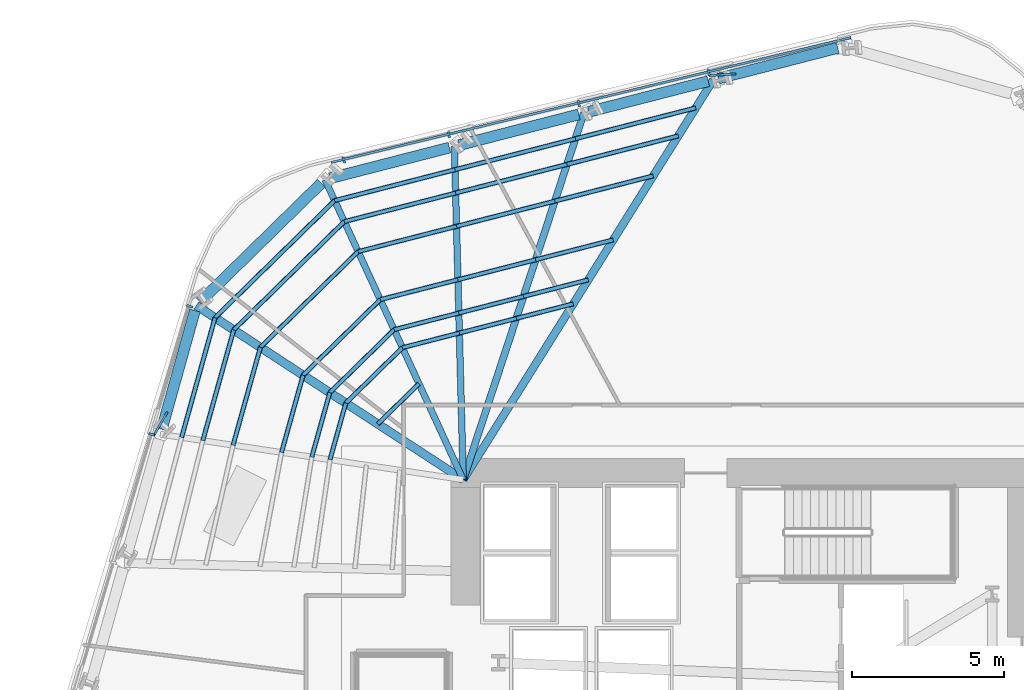
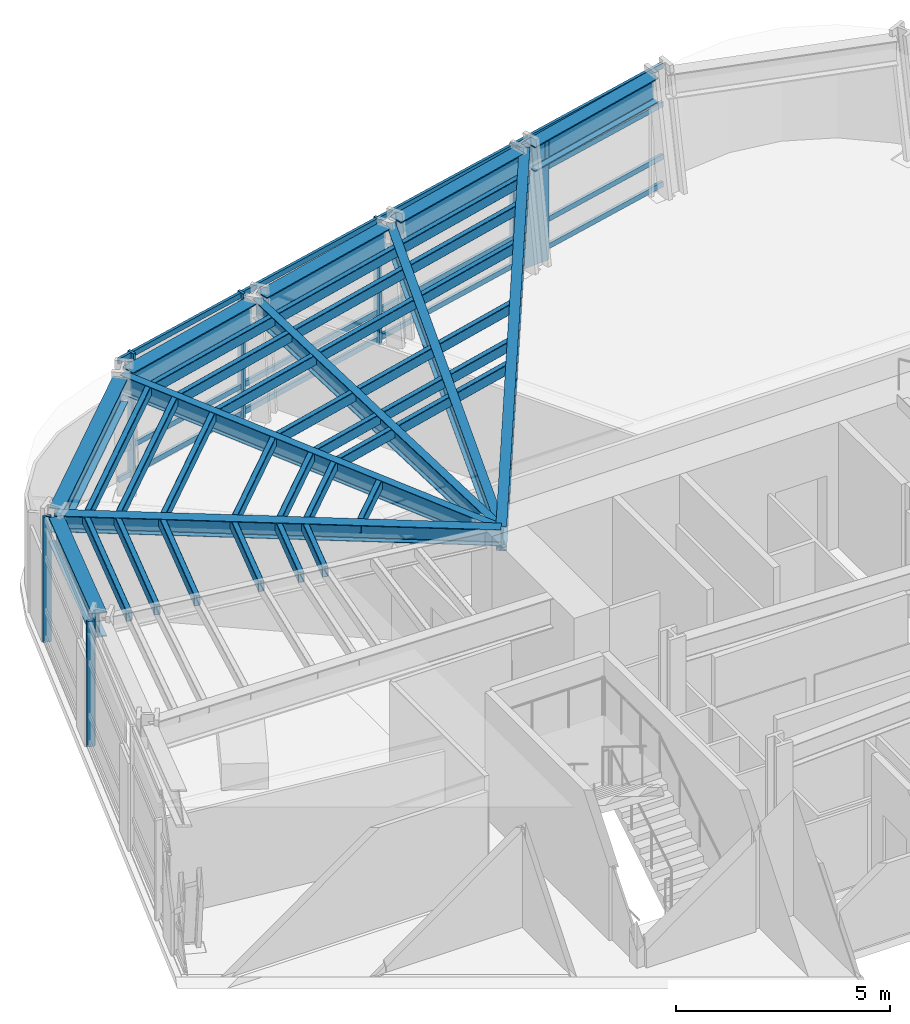
# One storey, part 6 of 17: 43 members, 11 beams, 2 elements without a shape of their own.
"""IFC4 building model written with IfcOpenShell, lengths in metres."""

from ifc_helpers import new_model, si_unit, direction, frame, origin, origin_2d, place, context, subcontext, project, spatial, rectangle, hollow_rectangle, i_section, extrude, material, layer, layer_set, material_profile, profile_set, type_object, element, aggregate, save


model = new_model("IFC4")

# Units and contexts
model_context = context("Model", 3, precision=1e-05, world=origin(), true_north=direction((0.0, 1.0)))
body_context = subcontext(model_context, "Body", "Model", "MODEL_VIEW")
ifc_project = project(units=[si_unit("LENGTHUNIT", "METRE"), si_unit("AREAUNIT", "SQUARE_METRE"), si_unit("VOLUMEUNIT", "CUBIC_METRE"), si_unit("PLANEANGLEUNIT", "RADIAN"), si_unit("MASSUNIT", "GRAM", prefix="KILO")], contexts=[model_context])

# Site, building, storey
site_placement = place(None, origin())
site = spatial("IfcSite", under=ifc_project, at=site_placement, CompositionType="ELEMENT")
building_placement = place(site_placement, origin())
building = spatial("IfcBuilding", under=site, at=building_placement, Name="Valkerne Bourse Tower", CompositionType="ELEMENT")
storey_placement = place(building_placement, frame((0.0, 0.0, 82.0)))
storey = spatial("IfcBuildingStorey", under=building, at=storey_placement, Name="L20", CompositionType="ELEMENT", Elevation=82.0)

# Beams
ifc_material_1 = material(Name="Steel ASTM A992", Category="steel")
ifc_material_profile_1 = material_profile(ifc_material_1, i_section(OverallWidth=0.279296875, OverallDepth=0.46240234375, WebThickness=0.0107421875, FlangeThickness=0.017333984375, FilletRadius=0.017822265625, at=origin_2d()), Name="W18X76")
ifc_profile_set_1 = profile_set([ifc_material_profile_1], Name="Steel ASTM A992")
beam_type_1 = type_object("IfcBeamType", Name="BM-W18X76", PredefinedType="BEAM", material=ifc_profile_set_1)
beam_1_placement = place(storey_placement, frame((28.846435546875, 41.114013671875, 3.348876953125), z_axis=(0.837382862208, -0.54661681467, 0.0), x_axis=(0.54661681467, 0.837382862208, 0.0)))
element("IfcBeam", 1, at=beam_1_placement, inside=storey, type_object=beam_type_1, Name="L20 Radial Composite Floor Beam 10", PredefinedType="BEAM", context=body_context, shape_type="SweptSolid", body=[
    extrude(i_section(OverallWidth=0.279296875, OverallDepth=0.46240234375, WebThickness=0.0107421875, FlangeThickness=0.017333984375, FilletRadius=0.017822265625, at=origin_2d()), origin(), (0.0, 0.0, 1.0), 10.45361328125),
])
ifc_material_profile_2 = material_profile(ifc_material_1, i_section(OverallWidth=0.209228515625, OverallDepth=0.533447265625, WebThickness=0.01025390625, FlangeThickness=0.015625, FilletRadius=0.017822265625, at=origin_2d()), Name="W21X62")
ifc_profile_set_2 = profile_set([ifc_material_profile_2], Name="Steel ASTM A992")
beam_type_2 = type_object("IfcBeamType", Name="BM-W21X62", PredefinedType="JOIST", material=ifc_profile_set_2)
beam_2_placement = place(storey_placement, frame((33.065185546875, 45.2451171875, 3.313232421875), z_axis=(0.418371040694, -0.908276209261, 0.0), x_axis=(0.908276209261, 0.418371040694, 0.0)))
element("IfcBeam", 2, at=beam_2_placement, inside=storey, type_object=beam_type_2, Name="L20 Radial Composite Floor Beam 09", PredefinedType="JOIST", context=body_context, shape_type="SweptSolid", body=[
    extrude(i_section(OverallWidth=0.209228515625, OverallDepth=0.533447265625, WebThickness=0.01025390625, FlangeThickness=0.015625, FilletRadius=0.017822265625, at=origin_2d()), origin(), (0.0, 0.0, 1.0), 10.83935546875),
])
ifc_material_profile_3 = material_profile(ifc_material_1, i_section(OverallWidth=0.2138671875, OverallDepth=0.548583984375, WebThickness=0.0146484375, FlangeThickness=0.023681640625, FilletRadius=0.017822265625, at=origin_2d()), Name="W21X93")
ifc_profile_set_3 = profile_set([ifc_material_profile_3], Name="Steel ASTM A992")
beam_type_3 = type_object("IfcBeamType", Name="BM-W21X93", PredefinedType="BEAM", material=ifc_profile_set_3)
beam_3_placement = place(storey_placement, frame((37.310302734375, 46.335205078125, 3.3056640625), z_axis=(0.026491558728, -0.999649037071, 0.0), x_axis=(0.999649037071, 0.026491558728, 0.0)))
element("IfcBeam", 3, at=beam_3_placement, inside=storey, type_object=beam_type_3, Name="L20 Radial Composite Floor Beam 08", PredefinedType="BEAM", context=body_context, shape_type="SweptSolid", body=[
    extrude(i_section(OverallWidth=0.2138671875, OverallDepth=0.548583984375, WebThickness=0.0146484375, FlangeThickness=0.023681640625, FilletRadius=0.017822265625, at=origin_2d()), origin(), (0.0, 0.0, 1.0), 10.939208984375),
])
ifc_material_profile_4 = material_profile(ifc_material_1, i_section(OverallWidth=0.228271484375, OverallDepth=0.607177734375, WebThickness=0.01123046875, FlangeThickness=0.017333984375, FilletRadius=0.017822265625, at=origin_2d()), Name="W24X76")
ifc_profile_set_4 = profile_set([ifc_material_profile_4], Name="Steel ASTM A992")
beam_type_4 = type_object("IfcBeamType", Name="BM-W24X76", PredefinedType="JOIST", material=ifc_profile_set_4)
beam_4_placement = place(storey_placement, frame((41.5556640625, 47.42529296875, 3.2763671875), z_axis=(-0.312464597727, -0.94992940536, 0.0), x_axis=(0.94992940536, -0.312464597727, 0.0)))
element("IfcBeam", 4, at=beam_4_placement, inside=storey, type_object=beam_type_4, Name="L20 Radial Composite Floor Beam 07", PredefinedType="JOIST", context=body_context, shape_type="SweptSolid", body=[
    extrude(i_section(OverallWidth=0.228271484375, OverallDepth=0.607177734375, WebThickness=0.01123046875, FlangeThickness=0.017333984375, FilletRadius=0.017822265625, at=origin_2d()), origin(), (0.0, 0.0, 1.0), 12.6591796875),
])
ifc_material_profile_5 = material_profile(ifc_material_1, i_section(OverallWidth=0.255859375, OverallDepth=0.693359375, WebThickness=0.014404296875, FlangeThickness=0.023681640625, FilletRadius=0.02294921875, at=origin_2d()), Name="W27X114")
ifc_profile_set_5 = profile_set([ifc_material_profile_5], Name="Steel ASTM A992")
beam_type_5 = type_object("IfcBeamType", Name="BM-W27X114", PredefinedType="BEAM", material=ifc_profile_set_5)
beam_5_placement = place(storey_placement, frame((45.801025390625, 48.51513671875, 3.2333984375), z_axis=(-0.530180525736, -0.847884785882, 0.0), x_axis=(0.847884785882, -0.530180525736, 0.0)))
element("IfcBeam", 5, at=beam_5_placement, inside=storey, type_object=beam_type_5, Name="L20 Radial Composite Floor Beam 06", PredefinedType="BEAM", context=body_context, shape_type="SweptSolid", body=[
    extrude(i_section(OverallWidth=0.255859375, OverallDepth=0.693359375, WebThickness=0.014404296875, FlangeThickness=0.023681640625, FilletRadius=0.02294921875, at=origin_2d()), origin(), (0.0, 0.0, 1.0), 15.46826171875),
])
ifc_material_profile_6 = material_profile(ifc_material_1, i_section(OverallWidth=0.358154296875, OverallDepth=0.7060546875, WebThickness=0.018310546875, FlangeThickness=0.0302734375, FilletRadius=0.02294921875, at=origin_2d()), Name="W27X178")
ifc_profile_set_6 = profile_set([ifc_material_profile_6], Name="Steel ASTM A992")
beam_type_6 = type_object("IfcBeamType", Name="BM-W27X178", PredefinedType="SPANDREL", material=ifc_profile_set_6)
for number, where, z_axis, x_axis, name in (
    (6, (49.881591796875, 49.56298828125, 3.22705078125), (-0.968584837782, -0.248683356941, 0.0), (0.248683356941, -0.968584837782, 0.0), "L20 Hexagonal Spandrel Ring Beam 05"),
    (7, (45.63623046875, 48.472900390625, 3.22705078125), (-0.968584837782, -0.248683356941, 0.0), (0.248683356941, -0.968584837782, 0.0), "L20 Hexagonal Spandrel Ring Beam 06"),
):
    element("IfcBeam", number, at=place(storey_placement, frame(where, z_axis=z_axis, x_axis=x_axis)), inside=storey, type_object=beam_type_6, Name=name, PredefinedType="SPANDREL", context=body_context, shape_type="SweptSolid", body=[
        extrude(i_section(OverallWidth=0.358154296875, OverallDepth=0.7060546875, WebThickness=0.018310546875, FlangeThickness=0.0302734375, FilletRadius=0.02294921875, at=origin_2d()), origin(), (0.0, 0.0, 1.0), 4.042724609375),
    ])
for number, where, z_axis, x_axis, name in (
    (8, (41.39111328125, 47.3828125, 3.22705078125), (-0.968588572138, -0.248668811725, 0.0), (0.248668811725, -0.968588572138, 0.0), "L20 Hexagonal Spandrel Ring Beam 07"),
    (9, (37.145751953125, 46.29296875, 3.22705078125), (-0.968588572138, -0.248668811725, 0.0), (0.248668811725, -0.968588572138, 0.0), "L20 Hexagonal Spandrel Ring Beam 08"),
):
    element("IfcBeam", number, at=place(storey_placement, frame(where, z_axis=z_axis, x_axis=x_axis)), inside=storey, type_object=beam_type_6, Name=name, PredefinedType="SPANDREL", context=body_context, shape_type="SweptSolid", body=[
        extrude(i_section(OverallWidth=0.358154296875, OverallDepth=0.7060546875, WebThickness=0.018310546875, FlangeThickness=0.0302734375, FilletRadius=0.02294921875, at=origin_2d()), origin(), (0.0, 0.0, 1.0), 4.04296875),
    ])
beam_6_placement = place(storey_placement, frame((32.943603515625, 45.126220703125, 3.22705078125), z_axis=(-0.714461076238, -0.699675189313, 0.0), x_axis=(0.699675189313, -0.714461076238, 0.0)))
element("IfcBeam", 10, at=beam_6_placement, inside=storey, type_object=beam_type_6, Name="L20 Hexagonal Spandrel Ring Beam 09", PredefinedType="SPANDREL", context=body_context, shape_type="SweptSolid", body=[
    extrude(i_section(OverallWidth=0.358154296875, OverallDepth=0.7060546875, WebThickness=0.018310546875, FlangeThickness=0.0302734375, FilletRadius=0.02294921875, at=origin_2d()), origin(), (0.0, 0.0, 1.0), 5.564453125),
])
beam_7_placement = place(storey_placement, frame((28.80078125, 40.9501953125, 3.22705078125), z_axis=(-0.268957912166, -0.963151930634, 0.0), x_axis=(0.963151930634, -0.268957912166, 0.0)))
element("IfcBeam", 11, at=beam_7_placement, inside=storey, type_object=beam_type_6, Name="L20 Hexagonal Spandrel Ring Beam 10", PredefinedType="SPANDREL", context=body_context, shape_type="SweptSolid", body=[
    extrude(i_section(OverallWidth=0.358154296875, OverallDepth=0.7060546875, WebThickness=0.018310546875, FlangeThickness=0.0302734375, FilletRadius=0.02294921875, at=origin_2d()), origin(), (0.0, 0.0, 1.0), 4.04296875),
])

# Curtain wall, members
ifc_material_2 = material(Name="Aluminium AA 6063-T6", Category="aluminium")
ifc_layer = layer(ifc_material_2, 0.22998046875)
ifc_layer_set = layer_set([ifc_layer], Name="Aluminium AA 6063-T6")
curtain_wall_type = type_object("IfcCurtainWallType", Name="CW-02", PredefinedType="NOTDEFINED", material=ifc_layer_set)
curtain_wall_1_placement = place(storey_placement, origin())
curtain_wall_1 = element("IfcCurtainWall", 12, at=curtain_wall_1_placement, inside=storey, type_object=curtain_wall_type, Name="L20 Hexagonal Stick Curtain Wall Face 2", PredefinedType="NOTDEFINED")
ifc_material_profile_7 = material_profile(ifc_material_2, rectangle(XDim=0.074951171875, YDim=0.199951171875, at=origin_2d()), Name="CWM-75X200")
ifc_profile_set_7 = profile_set([ifc_material_profile_7], Name="Aluminium AA 6063-T6")
member_type_1 = type_object("IfcMemberType", Name="CW-MUL-220X75", PredefinedType="MULLION", material=ifc_profile_set_7)
member_1_placement = place(storey_placement, frame((45.6513671875, 48.760986328125, 0.0), z_axis=(0.0, 0.0, 1.0), x_axis=(-0.972369488641, -0.233447162244, 0.0)))
member_1 = element("IfcMember", 13, at=member_1_placement, type_object=member_type_1, Name="CW-L20-F2 Jamb Mullion 01A", PredefinedType="MULLION", context=body_context, shape_type="SweptSolid", body=[
    extrude(rectangle(XDim=0.074951171875, YDim=0.199951171875, at=origin_2d()), origin(), (0.0, 0.0, 1.0), 3.580078125),
])
member_2_placement = place(storey_placement, frame((41.389404296875, 47.73779296875, 0.0), z_axis=(0.0, 0.0, 1.0), x_axis=(-0.972369488641, -0.233447162244, 0.0)))
member_2 = element("IfcMember", 14, at=member_2_placement, type_object=member_type_1, Name="CW-L20-F2 Jamb Mullion 02A", PredefinedType="MULLION", context=body_context, shape_type="SweptSolid", body=[
    extrude(rectangle(XDim=0.074951171875, YDim=0.199951171875, at=origin_2d()), origin(), (0.0, 0.0, 1.0), 3.580078125),
])
member_3_placement = place(storey_placement, frame((37.12744140625, 46.714599609375, 0.0), z_axis=(0.0, 0.0, 1.0), x_axis=(-0.972369488641, -0.233447162244, 0.0)))
member_3 = element("IfcMember", 15, at=member_3_placement, type_object=member_type_1, Name="CW-L20-F2 Jamb Mullion 03A", PredefinedType="MULLION", context=body_context, shape_type="SweptSolid", body=[
    extrude(rectangle(XDim=0.074951171875, YDim=0.199951171875, at=origin_2d()), origin(), (0.0, 0.0, 1.0), 3.580078125),
])
member_4_placement = place(storey_placement, frame((33.682373046875, 45.887451171875, 0.0), z_axis=(0.0, 0.0, 1.0), x_axis=(-0.972369488641, -0.233447162244, 0.0)))
member_4 = element("IfcMember", 16, at=member_4_placement, type_object=member_type_1, Name="CW-L20-F2 Jamb Mullion 03B", PredefinedType="MULLION", context=body_context, shape_type="SweptSolid", body=[
    extrude(rectangle(XDim=0.074951171875, YDim=0.199951171875, at=origin_2d()), origin(), (0.0, 0.0, 1.0), 3.580078125),
])

curtain_wall_2_placement = place(storey_placement, origin())
curtain_wall_2 = element("IfcCurtainWall", 17, at=curtain_wall_2_placement, inside=storey, type_object=curtain_wall_type, Name="L20 Hexagonal Stick Curtain Wall Face 3", PredefinedType="NOTDEFINED")
member_5_placement = place(storey_placement, frame((28.625, 41.088134765625, 0.0), z_axis=(0.0, 0.0, 1.0), x_axis=(-0.284028514325, -0.95881583375, 0.0)))
member_5 = element("IfcMember", 18, at=member_5_placement, type_object=member_type_1, Name="CW-L20-F3 Jamb Mullion 00A", PredefinedType="MULLION", context=body_context, shape_type="SweptSolid", body=[
    extrude(rectangle(XDim=0.074951171875, YDim=0.199951171875, at=origin_2d()), origin(), (0.0, 0.0, 1.0), 3.580078125),
])
member_6_placement = place(storey_placement, frame((27.380126953125, 36.885498046875, 0.0), z_axis=(0.0, 0.0, 1.0), x_axis=(-0.28400753931, -0.958822046897, 0.0)))
member_6 = element("IfcMember", 19, at=member_6_placement, type_object=member_type_1, Name="CW-L20-F3 Jamb Mullion 01A", PredefinedType="MULLION", context=body_context, shape_type="SweptSolid", body=[
    extrude(rectangle(XDim=0.074951171875, YDim=0.199951171875, at=origin_2d()), origin(), (0.0, 0.0, 1.0), 3.580078125),
])
aggregate(curtain_wall_2, [member_5, member_6])

# Member
ifc_material_profile_8 = material_profile(ifc_material_2, rectangle(XDim=0.074951171875, YDim=0.14990234375, at=origin_2d()), Name="CWT-75X150")
ifc_profile_set_8 = profile_set([ifc_material_profile_8], Name="Aluminium AA 6063-T6")
member_type_2 = type_object("IfcMemberType", Name="CW-TRN-180X65", PredefinedType="USERDEFINED", material=ifc_profile_set_8)
member_7_placement = place(storey_placement, frame((50.31689453125, 49.901611328125, 0.1201171875), z_axis=(-0.97236985563, -0.233445633634, 0.0), x_axis=(0.233445633634, -0.97236985563, 0.0)))
member_7 = element("IfcMember", 20, at=member_7_placement, type_object=member_type_2, Name="CW-L20-F2 Continuous Face Transom 1", ObjectType="TRANSOM", PredefinedType="USERDEFINED", context=body_context, shape_type="SweptSolid", body=[
    extrude(rectangle(XDim=0.074951171875, YDim=0.14990234375, at=origin_2d()), origin(), (0.0, 0.0, 1.0), 17.531982421875),
])

member_8_placement = place(storey_placement, frame((50.31689453125, 49.901611328125, 0.89990234375), z_axis=(-0.97236985563, -0.233445633634, 0.0), x_axis=(0.233445633634, -0.97236985563, 0.0)))
member_8 = element("IfcMember", 21, at=member_8_placement, type_object=member_type_2, Name="CW-L20-F2 Continuous Face Transom 2", ObjectType="TRANSOM", PredefinedType="USERDEFINED", context=body_context, shape_type="SweptSolid", body=[
    extrude(rectangle(XDim=0.074951171875, YDim=0.14990234375, at=origin_2d()), origin(), (0.0, 0.0, 1.0), 17.531982421875),
])

member_9_placement = place(storey_placement, frame((50.31689453125, 49.901611328125, 2.39990234375), z_axis=(-0.97236985563, -0.233445633634, 0.0), x_axis=(0.233445633634, -0.97236985563, 0.0)))
member_9 = element("IfcMember", 22, at=member_9_placement, type_object=member_type_2, Name="CW-L20-F2 Continuous Face Transom 3", ObjectType="TRANSOM", PredefinedType="USERDEFINED", context=body_context, shape_type="SweptSolid", body=[
    extrude(rectangle(XDim=0.074951171875, YDim=0.14990234375, at=origin_2d()), origin(), (0.0, 0.0, 1.0), 17.531982421875),
])

member_10_placement = place(storey_placement, frame((50.31689453125, 49.901611328125, 3.5), z_axis=(-0.97236985563, -0.233445633634, 0.0), x_axis=(0.233445633634, -0.97236985563, 0.0)))
member_10 = element("IfcMember", 23, at=member_10_placement, type_object=member_type_2, Name="CW-L20-F2 Continuous Face Transom 4", ObjectType="TRANSOM", PredefinedType="USERDEFINED", context=body_context, shape_type="SweptSolid", body=[
    extrude(rectangle(XDim=0.074951171875, YDim=0.14990234375, at=origin_2d()), origin(), (0.0, 0.0, 1.0), 17.531982421875),
])

aggregate(curtain_wall_1, [member_7, member_8, member_9, member_10, member_1, member_2, member_3, member_4])

# Members
ifc_material_3 = material(Name="Bronze Anodised Aluminium AA 6063-T6", Category="aluminium")
ifc_material_profile_9 = material_profile(ifc_material_3, rectangle(XDim=0.070068359375, YDim=0.89990234375, at=origin_2d()), Name="FIN-70X900")
ifc_profile_set_9 = profile_set([ifc_material_profile_9], Name="Bronze Anodised Aluminium AA 6063-T6")
member_type_3 = type_object("IfcMemberType", Name="FIN-SOLAR-900", PredefinedType="USERDEFINED", material=ifc_profile_set_9)
for number, where, z_axis, x_axis, name in (
    (24, (46.101806640625, 48.683837890625, 0.00390625), (0.0, 0.0, 1.0), (-0.067373144204, 0.997727848384, 0.0), "L20 Bronze Anodised Solar Fin F2-01"),
    (25, (27.672119140625, 37.237060546875, 0.00390625), (0.0, 0.0, 1.0), (-0.865040359886, 0.501702278018, 0.0), "L20 Bronze Anodised Solar Fin F3-01"),
):
    element("IfcMember", number, at=place(storey_placement, frame(where, z_axis=z_axis, x_axis=x_axis)), inside=storey, type_object=member_type_3, Name=name, ObjectType="SOLAR_FIN", PredefinedType="USERDEFINED", context=body_context, shape_type="SweptSolid", body=[
        extrude(rectangle(XDim=0.070068359375, YDim=0.89990234375, at=origin_2d()), origin(), (0.0, 0.0, 1.0), 3.572021484375),
    ])
ifc_material_4 = material(Name="Steel ASTM A500 Grade C", Category="steel")
ifc_material_profile_10 = material_profile(ifc_material_4, hollow_rectangle(XDim=0.14990234375, YDim=0.300048828125, WallThickness=0.012451171875, OuterFilletRadius=0.02490234375, at=origin_2d()), Name="HSS300X150X12.5")
ifc_profile_set_10 = profile_set([ifc_material_profile_10], Name="Steel ASTM A500 Grade C")
member_type_4 = type_object("IfcMemberType", Name="MBR-HSS300X150X12.5", PredefinedType="PURLIN", material=ifc_profile_set_10)
member_11_placement = place(storey_placement, frame((36.148681640625, 38.550537109375, 3.419921875), z_axis=(-0.714433717365, -0.699703125255, 0.0), x_axis=(0.699703125255, -0.714433717365, 0.0)))
element("IfcMember", 26, at=member_11_placement, inside=storey, type_object=member_type_4, Name="L20 Secondary Composite Floor Purlin I-09", PredefinedType="PURLIN", context=body_context, shape_type="SweptSolid", body=[
    extrude(hollow_rectangle(XDim=0.14990234375, YDim=0.300048828125, WallThickness=0.012451171875, OuterFilletRadius=0.02490234375, at=origin_2d()), origin(), (0.0, 0.0, 1.0), 1.889404296875),
])
for number, where, z_axis, x_axis, name in (
    (27, (41.20849609375, 41.170654296875, 3.419921875), (-0.968596666063, -0.248637282989, 0.0), (0.248637282989, -0.968596666063, 0.0), "L20 Secondary Composite Floor Purlin K-06"),
    (28, (39.340576171875, 40.691162109375, 3.419921875), (-0.968566171386, -0.248756048461, 0.0), (0.248756048461, -0.968566171386, 0.0), "L20 Secondary Composite Floor Purlin K-07"),
):
    element("IfcMember", number, at=place(storey_placement, frame(where, z_axis=z_axis, x_axis=x_axis)), inside=storey, type_object=member_type_4, Name=name, PredefinedType="PURLIN", context=body_context, shape_type="SweptSolid", body=[
        extrude(hollow_rectangle(XDim=0.14990234375, YDim=0.300048828125, WallThickness=0.012451171875, OuterFilletRadius=0.02490234375, at=origin_2d()), origin(), (0.0, 0.0, 1.0), 1.928466796875),
    ])
member_12_placement = place(storey_placement, frame((37.47265625, 40.21142578125, 3.419921875), z_axis=(-0.968604490938, -0.248606798249, 0.0), x_axis=(0.248606798249, -0.968604490938, 0.0)))
element("IfcMember", 29, at=member_12_placement, inside=storey, type_object=member_type_4, Name="L20 Secondary Composite Floor Purlin K-08", PredefinedType="PURLIN", context=body_context, shape_type="SweptSolid", body=[
    extrude(hollow_rectangle(XDim=0.14990234375, YDim=0.300048828125, WallThickness=0.012451171875, OuterFilletRadius=0.02490234375, at=origin_2d()), origin(), (0.0, 0.0, 1.0), 1.9287109375),
])
member_13_placement = place(storey_placement, frame((35.6044921875, 39.73193359375, 3.419921875), z_axis=(-0.714491831146, -0.699643783096, 0.0), x_axis=(0.699643783096, -0.714491831146, 0.0)))
element("IfcMember", 30, at=member_13_placement, inside=storey, type_object=member_type_4, Name="L20 Secondary Composite Floor Purlin K-09", PredefinedType="PURLIN", context=body_context, shape_type="SweptSolid", body=[
    extrude(hollow_rectangle(XDim=0.14990234375, YDim=0.300048828125, WallThickness=0.012451171875, OuterFilletRadius=0.02490234375, at=origin_2d()), origin(), (0.0, 0.0, 1.0), 2.597900390625),
])
member_14_placement = place(storey_placement, frame((33.748291015625, 37.914306640625, 3.419921875), z_axis=(-0.268864513973, -0.963178006978, 0.0), x_axis=(0.963178006978, -0.268864513973, 0.0)))
element("IfcMember", 31, at=member_14_placement, inside=storey, type_object=member_type_4, Name="L20 Secondary Composite Floor Purlin K-10", PredefinedType="PURLIN", context=body_context, shape_type="SweptSolid", body=[
    extrude(hollow_rectangle(XDim=0.14990234375, YDim=0.300048828125, WallThickness=0.012451171875, OuterFilletRadius=0.02490234375, at=origin_2d()), origin(), (0.0, 0.0, 1.0), 1.9287109375),
])
member_15_placement = place(storey_placement, frame((41.700439453125, 41.95751953125, 3.419921875), z_axis=(-0.968589595959, -0.248664823807, 0.0), x_axis=(0.248664823807, -0.968589595959, 0.0)))
element("IfcMember", 32, at=member_15_placement, inside=storey, type_object=member_type_4, Name="L20 Secondary Composite Floor Purlin M-06", PredefinedType="PURLIN", context=body_context, shape_type="SweptSolid", body=[
    extrude(hollow_rectangle(XDim=0.14990234375, YDim=0.300048828125, WallThickness=0.012451171875, OuterFilletRadius=0.02490234375, at=origin_2d()), origin(), (0.0, 0.0, 1.0), 2.19140625),
])
member_16_placement = place(storey_placement, frame((39.577880859375, 41.41259765625, 3.419921875), z_axis=(-0.968596483729, -0.248637993293, 0.0), x_axis=(0.248637993293, -0.968596483729, 0.0)))
element("IfcMember", 33, at=member_16_placement, inside=storey, type_object=member_type_4, Name="L20 Secondary Composite Floor Purlin M-07", PredefinedType="PURLIN", context=body_context, shape_type="SweptSolid", body=[
    extrude(hollow_rectangle(XDim=0.14990234375, YDim=0.300048828125, WallThickness=0.012451171875, OuterFilletRadius=0.02490234375, at=origin_2d()), origin(), (0.0, 0.0, 1.0), 2.191650390625),
])
member_17_placement = place(storey_placement, frame((37.455078125, 40.86767578125, 3.419921875), z_axis=(-0.96856275775, -0.248769339551, 0.0), x_axis=(0.248769339551, -0.96856275775, 0.0)))
element("IfcMember", 34, at=member_17_placement, inside=storey, type_object=member_type_4, Name="L20 Secondary Composite Floor Purlin M-08", PredefinedType="PURLIN", context=body_context, shape_type="SweptSolid", body=[
    extrude(hollow_rectangle(XDim=0.14990234375, YDim=0.300048828125, WallThickness=0.012451171875, OuterFilletRadius=0.02490234375, at=origin_2d()), origin(), (0.0, 0.0, 1.0), 2.19140625),
])
member_18_placement = place(storey_placement, frame((35.33251953125, 40.322509765625, 3.419921875), z_axis=(-0.714510426493, -0.699624792608, 0.0), x_axis=(0.699624792608, -0.714510426493, 0.0)))
element("IfcMember", 35, at=member_18_placement, inside=storey, type_object=member_type_4, Name="L20 Secondary Composite Floor Purlin M-09", PredefinedType="PURLIN", context=body_context, shape_type="SweptSolid", body=[
    extrude(hollow_rectangle(XDim=0.14990234375, YDim=0.300048828125, WallThickness=0.012451171875, OuterFilletRadius=0.02490234375, at=origin_2d()), origin(), (0.0, 0.0, 1.0), 2.9521484375),
])
member_19_placement = place(storey_placement, frame((33.22314453125, 38.257080078125, 3.419921875), z_axis=(-0.268919141131, -0.963162756513, 0.0), x_axis=(0.963162756513, -0.268919141131, 0.0)))
element("IfcMember", 36, at=member_19_placement, inside=storey, type_object=member_type_4, Name="L20 Secondary Composite Floor Purlin M-10", PredefinedType="PURLIN", context=body_context, shape_type="SweptSolid", body=[
    extrude(hollow_rectangle(XDim=0.14990234375, YDim=0.300048828125, WallThickness=0.012451171875, OuterFilletRadius=0.02490234375, at=origin_2d()), origin(), (0.0, 0.0, 1.0), 2.191650390625),
])
member_20_placement = place(storey_placement, frame((43.832763671875, 45.36767578125, 3.419921875), z_axis=(-0.968588316818, -0.248669806217, 0.0), x_axis=(0.248669806217, -0.968588316818, 0.0)))
element("IfcMember", 37, at=member_20_placement, inside=storey, type_object=member_type_4, Name="L20 Secondary Composite Floor Purlin O-06", PredefinedType="PURLIN", context=body_context, shape_type="SweptSolid", body=[
    extrude(hollow_rectangle(XDim=0.14990234375, YDim=0.300048828125, WallThickness=0.012451171875, OuterFilletRadius=0.02490234375, at=origin_2d()), origin(), (0.0, 0.0, 1.0), 3.331298828125),
])
for number, where, z_axis, x_axis, name in (
    (38, (40.606201171875, 44.539306640625, 3.419921875), (-0.968566127533, -0.248756219209, 0.0), (0.248756219209, -0.968566127533, 0.0), "L20 Secondary Composite Floor Purlin O-07"),
    (39, (37.3798828125, 43.710693359375, 3.419921875), (-0.968583784383, -0.248687459736, 0.0), (0.248687459736, -0.968583784383, 0.0), "L20 Secondary Composite Floor Purlin O-08"),
):
    element("IfcMember", number, at=place(storey_placement, frame(where, z_axis=z_axis, x_axis=x_axis)), inside=storey, type_object=member_type_4, Name=name, PredefinedType="PURLIN", context=body_context, shape_type="SweptSolid", body=[
        extrude(hollow_rectangle(XDim=0.14990234375, YDim=0.300048828125, WallThickness=0.012451171875, OuterFilletRadius=0.02490234375, at=origin_2d()), origin(), (0.0, 0.0, 1.0), 3.3310546875),
    ])
member_21_placement = place(storey_placement, frame((34.153564453125, 42.88232421875, 3.419921875), z_axis=(-0.714493995252, -0.699641573056, 0.0), x_axis=(0.699641573056, -0.714493995252, 0.0)))
element("IfcMember", 40, at=member_21_placement, inside=storey, type_object=member_type_4, Name="L20 Secondary Composite Floor Purlin O-09", PredefinedType="PURLIN", context=body_context, shape_type="SweptSolid", body=[
    extrude(hollow_rectangle(XDim=0.14990234375, YDim=0.300048828125, WallThickness=0.012451171875, OuterFilletRadius=0.02490234375, at=origin_2d()), origin(), (0.0, 0.0, 1.0), 4.487548828125),
])
member_22_placement = place(storey_placement, frame((30.947265625, 39.74267578125, 3.419921875), z_axis=(-0.268898585453, -0.963168495509, 0.0), x_axis=(0.963168495509, -0.268898585453, 0.0)))
element("IfcMember", 41, at=member_22_placement, inside=storey, type_object=member_type_4, Name="L20 Secondary Composite Floor Purlin O-10", PredefinedType="PURLIN", context=body_context, shape_type="SweptSolid", body=[
    extrude(hollow_rectangle(XDim=0.14990234375, YDim=0.300048828125, WallThickness=0.012451171875, OuterFilletRadius=0.02490234375, at=origin_2d()), origin(), (0.0, 0.0, 1.0), 3.331298828125),
])
for number, where, z_axis, x_axis, name in (
    (42, (42.5205078125, 43.26904296875, 3.419921875), (-0.968577326661, -0.248712609808, 0.0), (0.248712609808, -0.968577326661, 0.0), "L20 Secondary Composite Floor Purlin Z-06"),
    (43, (39.973388671875, 42.614990234375, 3.419921875), (-0.968599687659, -0.248625511698, 0.0), (0.248625511698, -0.968599687659, 0.0), "L20 Secondary Composite Floor Purlin Z-07"),
    (44, (37.42626953125, 41.961181640625, 3.419921875), (-0.968577326661, -0.248712609808, 0.0), (0.248712609808, -0.968577326661, 0.0), "L20 Secondary Composite Floor Purlin Z-08"),
):
    element("IfcMember", number, at=place(storey_placement, frame(where, z_axis=z_axis, x_axis=x_axis)), inside=storey, type_object=member_type_4, Name=name, PredefinedType="PURLIN", context=body_context, shape_type="SweptSolid", body=[
        extrude(hollow_rectangle(XDim=0.14990234375, YDim=0.300048828125, WallThickness=0.012451171875, OuterFilletRadius=0.02490234375, at=origin_2d()), origin(), (0.0, 0.0, 1.0), 2.629638671875),
    ])
member_23_placement = place(storey_placement, frame((34.879150390625, 41.30712890625, 3.419921875), z_axis=(-0.714475977438, -0.69965997289, 0.0), x_axis=(0.69965997289, -0.714475977438, 0.0)))
element("IfcMember", 45, at=member_23_placement, inside=storey, type_object=member_type_4, Name="L20 Secondary Composite Floor Purlin Z-09", PredefinedType="PURLIN", context=body_context, shape_type="SweptSolid", body=[
    extrude(hollow_rectangle(XDim=0.14990234375, YDim=0.300048828125, WallThickness=0.012451171875, OuterFilletRadius=0.02490234375, at=origin_2d()), origin(), (0.0, 0.0, 1.0), 3.542724609375),
])
member_24_placement = place(storey_placement, frame((32.347900390625, 38.828369140625, 3.419921875), z_axis=(-0.268941174285, -0.963156604491, 0.0), x_axis=(0.963156604491, -0.268941174285, 0.0)))
element("IfcMember", 46, at=member_24_placement, inside=storey, type_object=member_type_4, Name="L20 Secondary Composite Floor Purlin Z-10", PredefinedType="PURLIN", context=body_context, shape_type="SweptSolid", body=[
    extrude(hollow_rectangle(XDim=0.14990234375, YDim=0.300048828125, WallThickness=0.012451171875, OuterFilletRadius=0.02490234375, at=origin_2d()), origin(), (0.0, 0.0, 1.0), 2.6298828125),
])
member_25_placement = place(storey_placement, frame((44.65283203125, 46.67919921875, 3.419921875), z_axis=(-0.968575899897, -0.248718166083, 0.0), x_axis=(0.248718166083, -0.968575899897, 0.0)))
element("IfcMember", 47, at=member_25_placement, inside=storey, type_object=member_type_4, Name="L20 Secondary Composite Floor Purlin T-06", PredefinedType="PURLIN", context=body_context, shape_type="SweptSolid", body=[
    extrude(hollow_rectangle(XDim=0.14990234375, YDim=0.300048828125, WallThickness=0.012451171875, OuterFilletRadius=0.02490234375, at=origin_2d()), origin(), (0.0, 0.0, 1.0), 3.769287109375),
])
member_26_placement = place(storey_placement, frame((41.001953125, 45.74169921875, 3.419921875), z_axis=(-0.968579906261, -0.248702563694, 0.0), x_axis=(0.248702563694, -0.968579906261, 0.0)))
element("IfcMember", 48, at=member_26_placement, inside=storey, type_object=member_type_4, Name="L20 Secondary Composite Floor Purlin T-07", PredefinedType="PURLIN", context=body_context, shape_type="SweptSolid", body=[
    extrude(hollow_rectangle(XDim=0.14990234375, YDim=0.300048828125, WallThickness=0.012451171875, OuterFilletRadius=0.02490234375, at=origin_2d()), origin(), (0.0, 0.0, 1.0), 3.76953125),
])
member_27_placement = place(storey_placement, frame((37.350830078125, 44.80419921875, 3.419921875), z_axis=(-0.968591501577, -0.248657401, 0.0), x_axis=(0.248657401, -0.968591501577, 0.0)))
element("IfcMember", 49, at=member_27_placement, inside=storey, type_object=member_type_4, Name="L20 Secondary Composite Floor Purlin T-08", PredefinedType="PURLIN", context=body_context, shape_type="SweptSolid", body=[
    extrude(hollow_rectangle(XDim=0.14990234375, YDim=0.300048828125, WallThickness=0.012451171875, OuterFilletRadius=0.02490234375, at=origin_2d()), origin(), (0.0, 0.0, 1.0), 3.769287109375),
])
member_28_placement = place(storey_placement, frame((33.699951171875, 43.866943359375, 3.419921875), z_axis=(-0.714448335886, -0.699688198664, 0.0), x_axis=(0.699688198664, -0.714448335886, 0.0)))
element("IfcMember", 50, at=member_28_placement, inside=storey, type_object=member_type_4, Name="L20 Secondary Composite Floor Purlin T-09", PredefinedType="PURLIN", context=body_context, shape_type="SweptSolid", body=[
    extrude(hollow_rectangle(XDim=0.14990234375, YDim=0.300048828125, WallThickness=0.012451171875, OuterFilletRadius=0.02490234375, at=origin_2d()), origin(), (0.0, 0.0, 1.0), 5.077880859375),
])
member_29_placement = place(storey_placement, frame((30.072021484375, 40.31396484375, 3.419921875), z_axis=(-0.268933124061, -0.96315885231, 0.0), x_axis=(0.96315885231, -0.268933124061, 0.0)))
element("IfcMember", 51, at=member_29_placement, inside=storey, type_object=member_type_4, Name="L20 Secondary Composite Floor Purlin T-10", PredefinedType="PURLIN", context=body_context, shape_type="SweptSolid", body=[
    extrude(hollow_rectangle(XDim=0.14990234375, YDim=0.300048828125, WallThickness=0.012451171875, OuterFilletRadius=0.02490234375, at=origin_2d()), origin(), (0.0, 0.0, 1.0), 3.769287109375),
])
for number, where, z_axis, x_axis, name in (
    (52, (45.226806640625, 47.59716796875, 3.419921875), (-0.968583263615, -0.248689488005, 0.0), (0.248689488005, -0.968583263615, 0.0), "L20 Secondary Composite Floor Purlin U-06"),
    (53, (41.27880859375, 46.58349609375, 3.419921875), (-0.968568834588, -0.248745678687, 0.0), (0.248745678687, -0.968568834588, 0.0), "L20 Secondary Composite Floor Purlin U-07"),
    (54, (37.330810546875, 45.569580078125, 3.419921875), (-0.968586967668, -0.248675061202, 0.0), (0.248675061202, -0.968586967668, 0.0), "L20 Secondary Composite Floor Purlin U-08"),
):
    element("IfcMember", number, at=place(storey_placement, frame(where, z_axis=z_axis, x_axis=x_axis)), inside=storey, type_object=member_type_4, Name=name, PredefinedType="PURLIN", context=body_context, shape_type="SweptSolid", body=[
        extrude(hollow_rectangle(XDim=0.14990234375, YDim=0.300048828125, WallThickness=0.012451171875, OuterFilletRadius=0.02490234375, at=origin_2d()), origin(), (0.0, 0.0, 1.0), 4.076171875),
    ])
member_30_placement = place(storey_placement, frame((33.382568359375, 44.555908203125, 3.419921875), z_axis=(-0.714492830909, -0.699642762115, 0.0), x_axis=(0.699642762115, -0.714492830909, 0.0)))
element("IfcMember", 55, at=member_30_placement, inside=storey, type_object=member_type_4, Name="L20 Secondary Composite Floor Purlin U-09", PredefinedType="PURLIN", context=body_context, shape_type="SweptSolid", body=[
    extrude(hollow_rectangle(XDim=0.14990234375, YDim=0.300048828125, WallThickness=0.012451171875, OuterFilletRadius=0.02490234375, at=origin_2d()), origin(), (0.0, 0.0, 1.0), 5.490966796875),
])
member_31_placement = place(storey_placement, frame((29.459228515625, 40.714111328125, 3.419921875), z_axis=(-0.268910093225, -0.963165282681, 0.0), x_axis=(0.963165282681, -0.268910093225, 0.0)))
element("IfcMember", 56, at=member_31_placement, inside=storey, type_object=member_type_4, Name="L20 Secondary Composite Floor Purlin U-10", PredefinedType="PURLIN", context=body_context, shape_type="SweptSolid", body=[
    extrude(hollow_rectangle(XDim=0.14990234375, YDim=0.300048828125, WallThickness=0.012451171875, OuterFilletRadius=0.02490234375, at=origin_2d()), origin(), (0.0, 0.0, 1.0), 4.076416015625),
])

save(model, "model.ifc")
